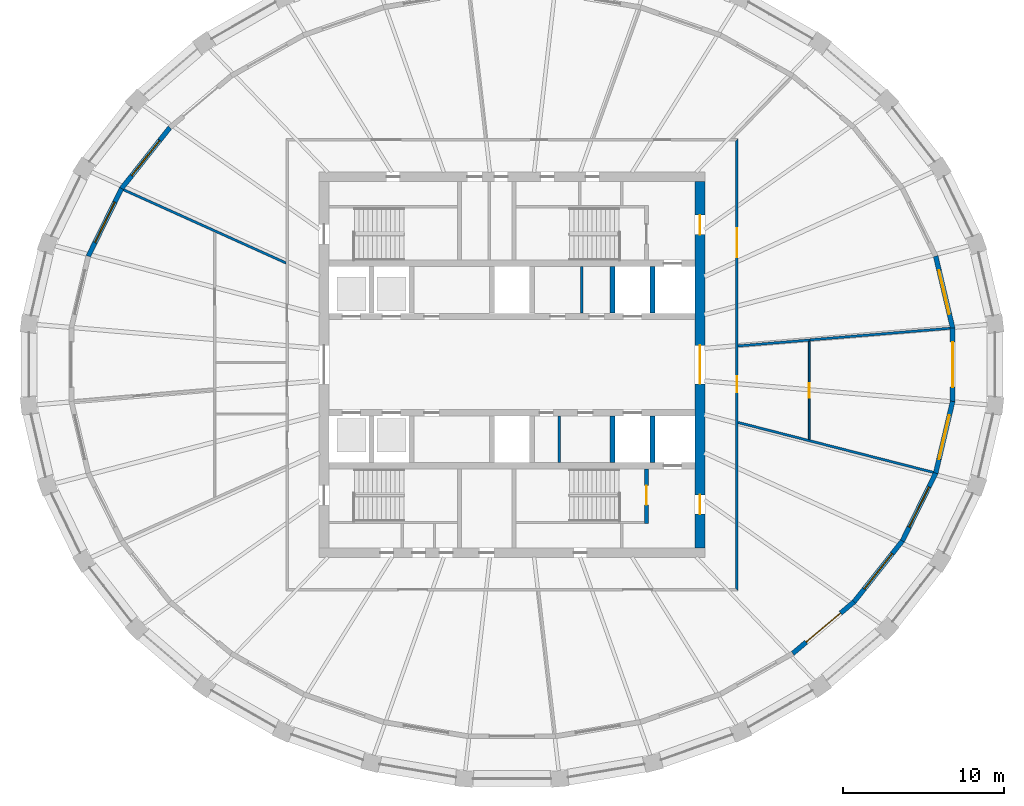
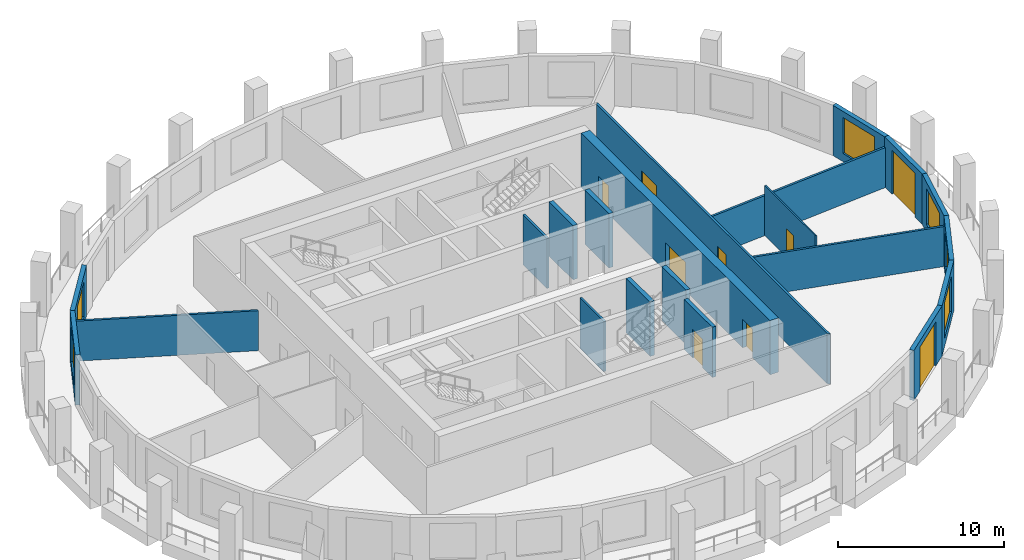
# One storey, part 5 of 10: 22 walls, 9 doors, 6 windows, 15 openings.
"""IFC4 building model written with IfcOpenShell, lengths in metres."""

from ifc_helpers import new_model, si_unit, direction, frame, frame_2d, origin, place, context, subcontext, project, spatial, polyline, rectangle, outline, extrude, material, layer, layer_set, type_object, element, fill, save


model = new_model("IFC4")

# Units and contexts
model_context = context("Model", 3, precision=1e-05, world=origin(), true_north=direction((0.0, 1.0)))
body_context = subcontext(model_context, "Body", "Model", "MODEL_VIEW")
ifc_project = project(units=[si_unit("LENGTHUNIT", "METRE"), si_unit("AREAUNIT", "SQUARE_METRE"), si_unit("VOLUMEUNIT", "CUBIC_METRE"), si_unit("PLANEANGLEUNIT", "RADIAN"), si_unit("MASSUNIT", "GRAM", prefix="KILO")], contexts=[model_context])

# Site, building, storey
site_placement = place(None, origin())
site = spatial("IfcSite", under=ifc_project, at=site_placement, CompositionType="ELEMENT")
building_placement = place(site_placement, origin())
building = spatial("IfcBuilding", under=site, at=building_placement, Name="Halqa Exchange Tower", CompositionType="ELEMENT")
storey_placement = place(building_placement, frame((0.0, 0.0, 260.300048828125)))
storey = spatial("IfcBuildingStorey", under=building, at=storey_placement, Name="L60", CompositionType="ELEMENT", Elevation=260.300048828125)

# Wall
ifc_material_1 = material(Name="Fire-rated gypsum board")
ifc_layer_1 = layer(ifc_material_1, 0.14990234375)
ifc_layer_set_1 = layer_set([ifc_layer_1], Name="Fire-rated gypsum board")
wall_type_1 = type_object("IfcWallType", Name="Fire partition EI 60 150", PredefinedType="PARTITIONING", material=ifc_layer_set_1)
wall_1_placement = place(storey_placement, frame((-24.17626953125, 10.88671875, 0.0), z_axis=(0.0, 0.0, 1.0), x_axis=(0.911671004153, -0.410920892857, 0.0)))
element("IfcWall", 1, at=wall_1_placement, inside=storey, type_object=wall_type_1, Name="L60-PWL-002", PredefinedType="PARTITIONING", context=body_context, shape_type="SweptSolid", body=[
    extrude(outline(polyline([(0.0, -0.074951171875), (1.583984375, -0.074951171875), (3.167724609375, -0.074951171875), (4.751708984375, -0.074951171875), (6.33544921875, -0.074951171875), (6.341064453125, -0.072509765625), (6.34228515625, -0.074951171875), (7.9326171875, -0.074951171875), (9.52294921875, -0.074951171875), (11.11328125, -0.074951171875), (11.11328125, -0.073974609375), (11.09716796875, -0.038330078125), (11.09716796875, -0.038330078125), (11.046142578125, 0.074951171875), (9.20849609375, 0.074951171875), (7.37109375, 0.074951171875), (5.533447265625, 0.074951171875), (3.69580078125, 0.074951171875), (1.8583984375, 0.074951171875), (0.020751953125, 0.074951171875), (0.002197265625, 0.0009765625), (0.0, -0.0625), (0.0, -0.074951171875)])), origin(), (0.0, 0.0, 1.0), 2.947021484375),
])

# Wall, openings, doors
wall_2_placement = place(storey_placement, frame((14.0, -14.074951171875, 0.0), z_axis=(0.0, 0.0, 1.0), x_axis=(0.0, 1.0, 0.0)))
wall_2 = element("IfcWall", 2, at=wall_2_placement, inside=storey, type_object=wall_type_1, Name="L60-PWL-017", PredefinedType="PARTITIONING", context=body_context, shape_type="SweptSolid", body=[
    extrude(outline(polyline([(0.0, -0.074951171875), (1.876708984375, -0.074951171875), (3.75341796875, -0.074951171875), (5.6298828125, -0.074951171875), (7.506591796875, -0.074951171875), (9.38330078125, -0.074951171875), (11.260009765625, -0.074951171875), (13.13671875, -0.074951171875), (15.01318359375, -0.074951171875), (16.889892578125, -0.074951171875), (18.7666015625, -0.074951171875), (20.643310546875, -0.074951171875), (22.52001953125, -0.074951171875), (24.396484375, -0.074951171875), (26.273193359375, -0.074951171875), (28.14990234375, -0.074951171875), (28.0, 0.074951171875), (26.0107421875, 0.074951171875), (24.021484375, 0.074951171875), (22.0322265625, 0.074951171875), (20.042724609375, 0.074951171875), (18.053466796875, 0.074951171875), (16.064208984375, 0.074951171875), (14.074951171875, 0.074951171875), (12.085693359375, 0.074951171875), (10.096435546875, 0.074951171875), (8.107177734375, 0.074951171875), (6.11767578125, 0.074951171875), (4.12841796875, 0.074951171875), (2.13916015625, 0.074951171875), (0.14990234375, 0.074951171875), (0.0, -0.074951171875)])), origin(), (0.0, 0.0, 1.0), 3.699951171875),
])
opening_1_placement = place(wall_2_placement, frame((12.364990234375, 0.0, 0.0)))
opening_1 = element("IfcOpeningElement", 3, at=opening_1_placement, cuts=wall_2, Name="Opening 18-02", PredefinedType="OPENING", context=body_context, shape_type="SweptSolid", body=[
    extrude(rectangle(XDim=1.0, YDim=2.10009765625, at=frame_2d((0.5, 1.050048828125))), frame((0.0, 0.0869140625, 0.0), z_axis=(0.0, -1.0, 0.0), x_axis=(1.0, 0.0, 0.0)), (0.0, 0.0, 1.0), 0.173828125),
])
opening_2_placement = place(wall_2_placement, frame((20.7548828125, 0.0, 0.0)))
opening_2 = element("IfcOpeningElement", 4, at=opening_2_placement, cuts=wall_2, Name="Opening 18-03", PredefinedType="OPENING", context=body_context, shape_type="SweptSolid", body=[
    extrude(rectangle(XDim=1.800048828125, YDim=2.10009765625, at=frame_2d((0.89990234375, 1.050048828125))), frame((0.0, 0.0869140625, 0.0), z_axis=(0.0, -1.0, 0.0), x_axis=(1.0, 0.0, 0.0)), (0.0, 0.0, 1.0), 0.173828125),
])
ifc_material_2 = material(Name="Steel fire door leaf", Category="steel")
door_type_1 = type_object("IfcDoorType", Name="Fire door FD30S 1000 x 2100", OperationType="SINGLE_SWING_LEFT", PredefinedType="DOOR", material=ifc_material_2)
door_1_placement = place(opening_1_placement, frame((1.0, 0.0, 0.0), z_axis=(0.0, 0.0, 1.0), x_axis=(-1.0, 0.0, 0.0)))
door_1 = element("IfcDoor", 5, at=door_1_placement, inside=storey, type_object=door_type_1, Name="L60-IDR-002", OperationType="SINGLE_SWING_RIGHT", OverallHeight=2.10009765625, OverallWidth=1.0, PredefinedType="DOOR", context=body_context, shape_type="SweptSolid", body=[
    extrude(rectangle(XDim=1.0, YDim=2.10009765625, at=frame_2d((0.5, 1.050048828125))), frame((0.0, 0.02490234375, 0.0), z_axis=(0.0, -1.0, 0.0), x_axis=(1.0, 0.0, 0.0)), (0.0, 0.0, 1.0), 0.050048828125),
])
fill(opening_1, door_1)
door_type_2 = type_object("IfcDoorType", Name="Fire door FD30S double 1800 x 2100", OperationType="DOUBLE_DOOR_SINGLE_SWING", PredefinedType="DOOR", material=ifc_material_2)
door_2_placement = place(opening_2_placement, frame((1.800048828125, 0.0, 0.0), z_axis=(0.0, 0.0, 1.0), x_axis=(-1.0, 0.0, 0.0)))
door_2 = element("IfcDoor", 6, at=door_2_placement, inside=storey, type_object=door_type_2, Name="L60-IDR-003", OperationType="DOUBLE_DOOR_SINGLE_SWING", OverallHeight=2.10009765625, OverallWidth=1.800048828125, PredefinedType="DOOR", context=body_context, shape_type="SweptSolid", body=[
    extrude(rectangle(XDim=1.800048828125, YDim=2.10009765625, at=frame_2d((0.89990234375, 1.050048828125))), frame((0.0, 0.02490234375, 0.0), z_axis=(0.0, -1.0, 0.0), x_axis=(1.0, 0.0, 0.0)), (0.0, 0.0, 1.0), 0.050048828125),
])
fill(opening_2, door_2)

# Walls
wall_3_placement = place(storey_placement, frame((14.056640625, -3.594482421875, 0.0), z_axis=(0.0, 0.0, 1.0), x_axis=(0.968853358083, -0.24763515609, 0.0)))
element("IfcWall", 7, at=wall_3_placement, inside=storey, type_object=wall_type_1, Name="L60-PWL-018", PredefinedType="PARTITIONING", context=body_context, shape_type="SweptSolid", body=[
    extrude(outline(polyline([(0.0380859375, -0.074951171875), (1.8251953125, -0.074951171875), (3.612548828125, -0.074951171875), (5.399658203125, -0.074951171875), (7.186767578125, -0.074951171875), (8.973876953125, -0.074951171875), (10.76123046875, -0.074951171875), (12.54833984375, -0.074951171875), (12.563232421875, -0.003662109375), (12.563232421875, 0.066162109375), (12.56298828125, 0.074951171875), (10.768310546875, 0.074951171875), (8.9736328125, 0.074951171875), (7.178955078125, 0.074951171875), (5.38427734375, 0.074951171875), (3.58935546875, 0.074951171875), (1.794677734375, 0.074951171875), (0.0, 0.074951171875), (0.0, 0.07421875), (0.0380859375, -0.074951171875)])), origin(), (0.0, 0.0, 1.0), 2.947021484375),
])
wall_4_placement = place(storey_placement, frame((14.0693359375, 1.165771484375, 0.0), z_axis=(0.0, 0.0, 1.0), x_axis=(0.996636539938, 0.081948808782, 0.0)))
element("IfcWall", 8, at=wall_4_placement, inside=storey, type_object=wall_type_1, Name="L60-PWL-019", PredefinedType="PARTITIONING", context=body_context, shape_type="SweptSolid", body=[
    extrude(outline(polyline([(4.49560546875, -0.074951171875), (4.49560546875, -0.0029296875), (4.49560546875, 0.074951171875), (3.0009765625, 0.074951171875), (1.50634765625, 0.074951171875), (0.011962890625, 0.074951171875), (0.0, -0.069091796875), (0.0, -0.074951171875), (1.49853515625, -0.074951171875), (2.9970703125, -0.074951171875), (4.49560546875, -0.074951171875)])), origin(), (0.0, 0.0, 1.0), 2.947021484375),
])
wall_5_placement = place(storey_placement, frame((18.549072265625, 1.5439453125, 0.0), z_axis=(0.0, 0.0, 1.0), x_axis=(0.996604371019, 0.082339101686, 0.0)))
element("IfcWall", 9, at=wall_5_placement, inside=storey, type_object=wall_type_1, Name="L60-PWL-020", PredefinedType="PARTITIONING", context=body_context, shape_type="SweptSolid", body=[
    extrude(outline(polyline([(8.7529296875, -0.074951171875), (8.7529296875, 0.0390625), (8.74755859375, 0.074951171875), (6.998046875, 0.074951171875), (5.24853515625, 0.074951171875), (3.4990234375, 0.074951171875), (1.74951171875, 0.074951171875), (0.0, 0.074951171875), (0.0, -0.074951171875), (1.75048828125, -0.074951171875), (3.501220703125, -0.074951171875), (5.251708984375, -0.074951171875), (7.00244140625, -0.074951171875), (8.7529296875, -0.074951171875)])), origin(), (0.0, 0.0, 1.0), 2.947021484375),
])

# Wall, opening, door
ifc_material_3 = material(Name="Gypsum board")
ifc_layer_2 = layer(ifc_material_3, 0.10009765625)
ifc_layer_set_2 = layer_set([ifc_layer_2], Name="Gypsum board")
wall_type_2 = type_object("IfcWallType", Name="Partition 100 gypsum", PredefinedType="PARTITIONING", material=ifc_layer_set_2)
wall_6_placement = place(storey_placement, frame((18.5, 1.45849609375, 0.0), z_axis=(0.0, 0.0, 1.0), x_axis=(0.0, -1.0, 0.0)))
wall_6 = element("IfcWall", 10, at=wall_6_placement, inside=storey, type_object=wall_type_2, Name="L60-PWL-021", PredefinedType="PARTITIONING", context=body_context, shape_type="SweptSolid", body=[
    extrude(outline(polyline([(0.0078125, -0.050048828125), (1.530517578125, -0.050048828125), (3.05322265625, -0.050048828125), (4.575927734375, -0.050048828125), (6.098388671875, -0.050048828125), (6.1240234375, 0.050048828125), (6.1240234375, 0.050048828125), (4.593017578125, 0.050048828125), (3.06201171875, 0.050048828125), (1.531005859375, 0.050048828125), (0.0, 0.050048828125), (0.0, 0.046142578125), (0.0078125, -0.050048828125)])), origin(), (0.0, 0.0, 1.0), 3.699951171875),
])
opening_3_placement = place(wall_6_placement, frame((2.6083984375, 0.0, 0.0)))
opening_3 = element("IfcOpeningElement", 11, at=opening_3_placement, cuts=wall_6, Name="Opening 18-11", PredefinedType="OPENING", context=body_context, shape_type="SweptSolid", body=[
    extrude(rectangle(XDim=0.89990234375, YDim=2.10009765625, at=frame_2d((0.449951171875, 1.050048828125))), frame((0.0, 0.06201171875, 0.0), z_axis=(0.0, -1.0, 0.0), x_axis=(1.0, 0.0, 0.0)), (0.0, 0.0, 1.0), 0.1240234375),
])
ifc_material_4 = material(Name="Timber door leaf", Category="wood")
door_type_3 = type_object("IfcDoorType", Name="Door 900 x 2100", OperationType="SINGLE_SWING_LEFT", PredefinedType="DOOR", material=ifc_material_4)
door_3_placement = place(opening_3_placement, frame((0.89990234375, 0.0, 0.0), z_axis=(0.0, 0.0, 1.0), x_axis=(-1.0, 0.0, 0.0)))
door_3 = element("IfcDoor", 12, at=door_3_placement, inside=storey, type_object=door_type_3, Name="L60-IDR-011", OperationType="SINGLE_SWING_LEFT", OverallHeight=2.10009765625, OverallWidth=0.89990234375, PredefinedType="DOOR", context=body_context, shape_type="SweptSolid", body=[
    extrude(rectangle(XDim=0.89990234375, YDim=2.10009765625, at=frame_2d((0.449951171875, 1.050048828125))), frame((0.0, 0.02490234375, 0.0), z_axis=(0.0, -1.0, 0.0), x_axis=(1.0, 0.0, 0.0)), (0.0, 0.0, 1.0), 0.050048828125),
])
fill(opening_3, door_3)

# Walls
ifc_layer_3 = layer(ifc_material_3, 0.14990234375)
ifc_layer_set_3 = layer_set([ifc_layer_3], Name="Gypsum board")
wall_type_3 = type_object("IfcWallType", Name="Penthouse riser wall 150 gypsum", PredefinedType="PARTITIONING", material=ifc_layer_set_3)
for number, where, z_axis, x_axis, name in (
    (13, (4.35009765625, 3.199951171875, 0.0), (0.0, 0.0, 1.0), (0.0, 1.0, 0.0), "Freed bay partition NE4.350"),
    (14, (2.949951171875, -6.10009765625, 0.0), (0.0, 0.0, 1.0), (0.0, 1.0, 0.0), "Freed bay partition SE2.950"),
):
    element("IfcWall", number, at=place(storey_placement, frame(where, z_axis=z_axis, x_axis=x_axis)), inside=storey, type_object=wall_type_3, Name=name, PredefinedType="PARTITIONING", context=body_context, shape_type="SweptSolid", body=[
        extrude(rectangle(XDim=2.900146484375, YDim=0.14990234375, at=frame_2d((1.4501953125, 0.0))), origin(), (0.0, 0.0, 1.0), 3.699951171875),
    ])
ifc_material_5 = material(Name="Concrete C60/75", Category="concrete")
ifc_layer_4 = layer(ifc_material_5, 0.300048828125)
ifc_layer_set_4 = layer_set([ifc_layer_4], Name="Concrete C60/75")
wall_type_4 = type_object("IfcWallType", Name="RC core wall 300", PredefinedType="SHEAR", material=ifc_layer_set_4)
for number, where, z_axis, x_axis, name in (
    (15, (6.25, 3.199951171875, 0.0), (0.0, 0.0, 1.0), (0.0, 1.0, 0.0), "Shaft divider N7"),
    (16, (8.75, 3.199951171875, 0.0), (0.0, 0.0, 1.0), (0.0, 1.0, 0.0), "Shaft divider N8"),
    (17, (6.25, -6.10009765625, 0.0), (0.0, 0.0, 1.0), (0.0, 1.0, 0.0), "Shaft divider S7"),
    (18, (8.75, -6.10009765625, 0.0), (0.0, 0.0, 1.0), (0.0, 1.0, 0.0), "Shaft divider S8"),
):
    element("IfcWall", number, at=place(storey_placement, frame(where, z_axis=z_axis, x_axis=x_axis)), inside=storey, type_object=wall_type_4, Name=name, PredefinedType="SHEAR", context=body_context, shape_type="SweptSolid", body=[
        extrude(rectangle(XDim=2.900146484375, YDim=0.300048828125, at=frame_2d((1.4501953125, 0.0))), origin(), (0.0, 0.0, 1.0), 4.0),
    ])

# Wall, openings, doors
ifc_layer_5 = layer(ifc_material_5, 0.60009765625)
ifc_layer_set_5 = layer_set([ifc_layer_5], Name="Concrete C60/75")
wall_type_5 = type_object("IfcWallType", Name="RC core wall 600 C60/75", PredefinedType="SHEAR", material=ifc_layer_set_5)
wall_7_placement = place(storey_placement, frame((11.699951171875, -11.39990234375, 0.0), z_axis=(0.0, 0.0, 1.0), x_axis=(0.0, 1.0, 0.0)))
wall_7 = element("IfcWall", 19, at=wall_7_placement, inside=storey, type_object=wall_type_5, Name="Core wall east", PredefinedType="SHEAR", context=body_context, shape_type="SweptSolid", body=[
    extrude(rectangle(XDim=22.7998046875, YDim=0.60009765625, at=frame_2d((11.39990234375, 0.0))), origin(), (0.0, 0.0, 1.0), 4.0),
])
opening_4_placement = place(wall_7_placement, frame((10.199951171875, 0.0, 0.0)))
opening_4 = element("IfcOpeningElement", 20, at=opening_4_placement, cuts=wall_7, Name="Opening T18-C10", PredefinedType="OPENING", context=body_context, shape_type="SweptSolid", body=[
    extrude(rectangle(XDim=2.39990234375, YDim=2.10009765625, at=frame_2d((1.199951171875, 1.050048828125))), frame((0.0, 0.31201171875, 0.0), z_axis=(0.0, -1.0, 0.0), x_axis=(1.0, 0.0, 0.0)), (0.0, 0.0, 1.0), 0.6240234375),
])
opening_5_placement = place(wall_7_placement, frame((19.5, 0.0, 0.0)))
opening_5 = element("IfcOpeningElement", 21, at=opening_5_placement, cuts=wall_7, Name="Opening T18-C15", PredefinedType="OPENING", context=body_context, shape_type="SweptSolid", body=[
    extrude(rectangle(XDim=1.199951171875, YDim=2.10009765625, at=frame_2d((0.60009765625, 1.050048828125))), frame((0.0, 0.31201171875, 0.0), z_axis=(0.0, -1.0, 0.0), x_axis=(1.0, 0.0, 0.0)), (0.0, 0.0, 1.0), 0.6240234375),
])
opening_6_placement = place(wall_7_placement, frame((2.10009765625, 0.0, 0.0)))
opening_6 = element("IfcOpeningElement", 22, at=opening_6_placement, cuts=wall_7, Name="Opening T18-C16", PredefinedType="OPENING", context=body_context, shape_type="SweptSolid", body=[
    extrude(rectangle(XDim=1.199951171875, YDim=2.10009765625, at=frame_2d((0.60009765625, 1.050048828125))), frame((0.0, 0.31201171875, 0.0), z_axis=(0.0, -1.0, 0.0), x_axis=(1.0, 0.0, 0.0)), (0.0, 0.0, 1.0), 0.6240234375),
])
door_type_4 = type_object("IfcDoorType", Name="Firefighting lobby door FD90 1200 x 2100", OperationType="SINGLE_SWING_RIGHT", PredefinedType="DOOR", material=ifc_material_2)
door_4_placement = place(opening_5_placement, origin())
door_4 = element("IfcDoor", 23, at=door_4_placement, inside=storey, type_object=door_type_4, Name="Firefighting lobby door", OperationType="SINGLE_SWING_RIGHT", OverallHeight=2.10009765625, OverallWidth=1.199951171875, PredefinedType="DOOR", context=body_context, shape_type="SweptSolid", body=[
    extrude(rectangle(XDim=1.199951171875, YDim=2.10009765625, at=frame_2d((0.60009765625, 1.050048828125))), frame((0.0, 0.02490234375, 0.0), z_axis=(0.0, -1.0, 0.0), x_axis=(1.0, 0.0, 0.0)), (0.0, 0.0, 1.0), 0.050048828125),
])
fill(opening_5, door_4)
door_5_placement = place(opening_6_placement, origin())
door_5 = element("IfcDoor", 24, at=door_5_placement, inside=storey, type_object=door_type_4, Name="Firefighting lobby door", OperationType="SINGLE_SWING_LEFT", OverallHeight=2.10009765625, OverallWidth=1.199951171875, PredefinedType="DOOR", context=body_context, shape_type="SweptSolid", body=[
    extrude(rectangle(XDim=1.199951171875, YDim=2.10009765625, at=frame_2d((0.60009765625, 1.050048828125))), frame((0.0, 0.02490234375, 0.0), z_axis=(0.0, -1.0, 0.0), x_axis=(1.0, 0.0, 0.0)), (0.0, 0.0, 1.0), 0.050048828125),
])
fill(opening_6, door_5)
door_type_5 = type_object("IfcDoorType", Name="Lobby double door FD60 2400 x 2100", OperationType="DOUBLE_DOOR_SINGLE_SWING", PredefinedType="DOOR", material=ifc_material_2)
door_6_placement = place(opening_4_placement, origin())
door_6 = element("IfcDoor", 25, at=door_6_placement, inside=storey, type_object=door_type_5, Name="Lift lobby double door", OperationType="DOUBLE_DOOR_SINGLE_SWING", OverallHeight=2.10009765625, OverallWidth=2.39990234375, PredefinedType="DOOR", context=body_context, shape_type="SweptSolid", body=[
    extrude(rectangle(XDim=2.39990234375, YDim=2.10009765625, at=frame_2d((1.199951171875, 1.050048828125))), frame((0.0, 0.02490234375, 0.0), z_axis=(0.0, -1.0, 0.0), x_axis=(1.0, 0.0, 0.0)), (0.0, 0.0, 1.0), 0.050048828125),
])
fill(opening_4, door_6)

# Wall, opening, door
ifc_material_6 = material(Name="Concrete C30/37", Category="concrete")
ifc_layer_6 = layer(ifc_material_6, 0.25)
ifc_layer_set_6 = layer_set([ifc_layer_6], Name="Concrete C30/37")
wall_type_6 = type_object("IfcWallType", Name="RC stair wall 250 C30/37", PredefinedType="SHEAR", material=ifc_layer_set_6)
wall_8_placement = place(storey_placement, frame((8.375, -9.89990234375, 0.0), z_axis=(0.0, 0.0, 1.0), x_axis=(0.0, 1.0, 0.0)))
wall_8 = element("IfcWall", 26, at=wall_8_placement, inside=storey, type_object=wall_type_6, Name="Stair ST2 east wall S", PredefinedType="SHEAR", context=body_context, shape_type="SweptSolid", body=[
    extrude(rectangle(XDim=3.39990234375, YDim=0.25, at=frame_2d((1.699951171875, 0.0))), origin(), (0.0, 0.0, 1.0), 3.699951171875),
])
opening_7_placement = place(wall_8_placement, frame((1.175048828125, 0.0, 0.0)))
opening_7 = element("IfcOpeningElement", 27, at=opening_7_placement, cuts=wall_8, Name="Opening T18-C14", PredefinedType="OPENING", context=body_context, shape_type="SweptSolid", body=[
    extrude(rectangle(XDim=1.199951171875, YDim=2.10009765625, at=frame_2d((0.60009765625, 1.050048828125))), frame((0.0, 0.136962890625, 0.0), z_axis=(0.0, -1.0, 0.0), x_axis=(1.0, 0.0, 0.0)), (0.0, 0.0, 1.0), 0.27392578125),
])
door_type_6 = type_object("IfcDoorType", Name="Stair door FD90 1200 x 2100", OperationType="SINGLE_SWING_LEFT", PredefinedType="DOOR", material=ifc_material_2)
door_7_placement = place(opening_7_placement, origin())
door_7 = element("IfcDoor", 28, at=door_7_placement, inside=storey, type_object=door_type_6, Name="Stair door ST4", OperationType="SINGLE_SWING_RIGHT", OverallHeight=2.10009765625, OverallWidth=1.199951171875, PredefinedType="DOOR", context=body_context, shape_type="SweptSolid", body=[
    extrude(rectangle(XDim=1.199951171875, YDim=2.10009765625, at=frame_2d((0.60009765625, 1.050048828125))), frame((0.0, 0.02490234375, 0.0), z_axis=(0.0, -1.0, 0.0), x_axis=(1.0, 0.0, 0.0)), (0.0, 0.0, 1.0), 0.050048828125),
])
fill(opening_7, door_7)

# Wall, opening, window
ifc_material_7 = material(Name="Limestone cladding", Category="masonry")
ifc_layer_7 = layer(ifc_material_7, 0.0400390625)
ifc_material_8 = material(Name="Ventilated cavity")
ifc_layer_8 = layer(ifc_material_8, 0.030029296875, ventilated=True)
ifc_material_9 = material(Name="Mineral wool insulation")
ifc_layer_9 = layer(ifc_material_9, 0.10009765625)
ifc_layer_10 = layer(ifc_material_6, 0.10009765625)
ifc_material_10 = material(Name="Internal plaster")
ifc_layer_11 = layer(ifc_material_10, 0.030029296875)
ifc_layer_set_7 = layer_set([ifc_layer_7, ifc_layer_8, ifc_layer_9, ifc_layer_10, ifc_layer_11], Name="Stone-faced insulated wall 300")
wall_type_7 = type_object("IfcWallType", Name="Stone-faced insulated wall 300", PredefinedType="STANDARD", material=ifc_layer_set_7)
wall_9_placement = place(storey_placement, frame((27.428466796875, 2.28125, 0.0), z_axis=(0.0, 0.0, 1.0), x_axis=(-0.229767529411, 0.973245540667, 0.0)))
wall_9 = element("IfcWall", 29, at=wall_9_placement, inside=storey, type_object=wall_type_7, Name="Glass-line wall 1", PredefinedType="STANDARD", context=body_context, shape_type="SweptSolid", body=[
    extrude(outline(polyline([(-0.017578125, -0.14990234375), (4.613525390625, -0.14990234375), (4.579833984375, 0.14990234375), (0.017578125, 0.14990234375), (-0.017578125, -0.14990234375)])), origin(), (0.0, 0.0, 1.0), 3.699951171875),
])
opening_8_placement = place(wall_9_placement, frame((0.8984375, 0.0, 0.60009765625)))
opening_8 = element("IfcOpeningElement", 30, at=opening_8_placement, cuts=wall_9, Name="Opening W-F4-01", PredefinedType="OPENING", context=body_context, shape_type="SweptSolid", body=[
    extrude(rectangle(XDim=2.800048828125, YDim=2.64990234375, at=frame_2d((1.39990234375, 1.324951171875))), frame((0.0, 0.162109375, 0.0), z_axis=(0.0, -1.0, 0.0), x_axis=(1.0, 0.0, 0.0)), (0.0, 0.0, 1.0), 0.323974609375),
])
ifc_material_11 = material(Name="Clear low-emissivity glass in aluminium frame", Category="aluminium")
window_type = type_object("IfcWindowType", Name="Fixed clear glazed window 2800 x 2650", PartitioningType="DOUBLE_PANEL_VERTICAL", PredefinedType="WINDOW", material=ifc_material_11)
window_1_placement = place(opening_8_placement, origin())
window_1 = element("IfcWindow", 31, at=window_1_placement, inside=storey, type_object=window_type, Name="Window 4", OverallHeight=2.64990234375, OverallWidth=2.800048828125, PartitioningType="DOUBLE_PANEL_VERTICAL", PredefinedType="WINDOW", context=body_context, shape_type="SweptSolid", body=[
    extrude(rectangle(XDim=2.800048828125, YDim=2.64990234375, at=frame_2d((1.39990234375, 1.324951171875))), frame((0.0, 0.030029296875, 0.0), z_axis=(0.0, -1.0, 0.0), x_axis=(1.0, 0.0, 0.0)), (0.0, 0.0, 1.0), 0.06005859375),
])
fill(opening_8, window_1)

wall_10_placement = place(storey_placement, frame((-21.296875, 14.756103515625, 0.0), z_axis=(0.0, 0.0, 1.0), x_axis=(-0.621358373565, -0.783526497063, 0.0)))
wall_10 = element("IfcWall", 32, at=wall_10_placement, inside=storey, type_object=wall_type_7, Name="Glass-line wall 13", PredefinedType="STANDARD", context=body_context, shape_type="SweptSolid", body=[
    extrude(outline(polyline([(-0.01513671875, -0.14990234375), (4.851806640625, -0.14990234375), (4.819580078125, 0.14990234375), (0.01513671875, 0.14990234375), (-0.01513671875, -0.14990234375)])), origin(), (0.0, 0.0, 1.0), 3.699951171875),
])
opening_9_placement = place(wall_10_placement, frame((1.017578125, 0.0, 0.60009765625)))
opening_9 = element("IfcOpeningElement", 33, at=opening_9_placement, cuts=wall_10, Name="Opening W-F4-13", PredefinedType="OPENING", context=body_context, shape_type="SweptSolid", body=[
    extrude(rectangle(XDim=2.800048828125, YDim=2.64990234375, at=frame_2d((1.39990234375, 1.324951171875))), frame((0.0, 0.162109375, 0.0), z_axis=(0.0, -1.0, 0.0), x_axis=(1.0, 0.0, 0.0)), (0.0, 0.0, 1.0), 0.323974609375),
])
window_2_placement = place(opening_9_placement, origin())
window_2 = element("IfcWindow", 34, at=window_2_placement, inside=storey, type_object=window_type, Name="Window 4", OverallHeight=2.64990234375, OverallWidth=2.800048828125, PartitioningType="DOUBLE_PANEL_VERTICAL", PredefinedType="WINDOW", context=body_context, shape_type="SweptSolid", body=[
    extrude(rectangle(XDim=2.800048828125, YDim=2.64990234375, at=frame_2d((1.39990234375, 1.324951171875))), frame((0.0, 0.030029296875, 0.0), z_axis=(0.0, -1.0, 0.0), x_axis=(1.0, 0.0, 0.0)), (0.0, 0.0, 1.0), 0.06005859375),
])
fill(opening_9, window_2)

wall_11_placement = place(storey_placement, frame((-24.301513671875, 10.96728515625, 0.0), z_axis=(0.0, 0.0, 1.0), x_axis=(-0.441169971308, -0.89742356578, 0.0)))
wall_11 = element("IfcWall", 35, at=wall_11_placement, inside=storey, type_object=wall_type_7, Name="Glass-line wall 14", PredefinedType="STANDARD", context=body_context, shape_type="SweptSolid", body=[
    extrude(outline(polyline([(-0.01611328125, -0.14990234375), (4.710693359375, -0.14990234375), (4.677001953125, 0.14990234375), (0.01611328125, 0.14990234375), (-0.01611328125, -0.14990234375)])), origin(), (0.0, 0.0, 1.0), 3.699951171875),
])
opening_10_placement = place(wall_11_placement, frame((0.947021484375, 0.0, 0.60009765625)))
opening_10 = element("IfcOpeningElement", 36, at=opening_10_placement, cuts=wall_11, Name="Opening W-F4-14", PredefinedType="OPENING", context=body_context, shape_type="SweptSolid", body=[
    extrude(rectangle(XDim=2.800048828125, YDim=2.64990234375, at=frame_2d((1.39990234375, 1.324951171875))), frame((0.0, 0.162109375, 0.0), z_axis=(0.0, -1.0, 0.0), x_axis=(1.0, 0.0, 0.0)), (0.0, 0.0, 1.0), 0.323974609375),
])
window_3_placement = place(opening_10_placement, origin())
window_3 = element("IfcWindow", 37, at=window_3_placement, inside=storey, type_object=window_type, Name="Window 4", OverallHeight=2.64990234375, OverallWidth=2.800048828125, PartitioningType="DOUBLE_PANEL_VERTICAL", PredefinedType="WINDOW", context=body_context, shape_type="SweptSolid", body=[
    extrude(rectangle(XDim=2.800048828125, YDim=2.64990234375, at=frame_2d((1.39990234375, 1.324951171875))), frame((0.0, 0.030029296875, 0.0), z_axis=(0.0, -1.0, 0.0), x_axis=(1.0, 0.0, 0.0)), (0.0, 0.0, 1.0), 0.06005859375),
])
fill(opening_10, window_3)

# Wall, opening, door
wall_12_placement = place(storey_placement, frame((17.474853515625, -17.976318359375, 0.0), z_axis=(0.0, 0.0, 1.0), x_axis=(0.764746492461, 0.644331283013, 0.0)))
wall_12 = element("IfcWall", 38, at=wall_12_placement, inside=storey, type_object=wall_type_7, Name="Glass-line wall 28", PredefinedType="STANDARD", context=body_context, shape_type="SweptSolid", body=[
    extrude(outline(polyline([(-0.01416015625, -0.14990234375), (5.012939453125, -0.14990234375), (4.982666015625, 0.14990234375), (0.01416015625, 0.14990234375), (-0.01416015625, -0.14990234375)])), origin(), (0.0, 0.0, 1.0), 3.699951171875),
])
opening_11_placement = place(wall_12_placement, frame((1.098876953125, 0.0, 0.0)))
opening_11 = element("IfcOpeningElement", 39, at=opening_11_placement, cuts=wall_12, Name="Opening LG-F4-07", PredefinedType="OPENING", context=body_context, shape_type="SweptSolid", body=[
    extrude(rectangle(XDim=2.800048828125, YDim=3.25, at=frame_2d((1.39990234375, 1.625))), frame((0.0, 0.162109375, 0.0), z_axis=(0.0, -1.0, 0.0), x_axis=(1.0, 0.0, 0.0)), (0.0, 0.0, 1.0), 0.323974609375),
])
door_type_7 = type_object("IfcDoorType", Name="Glazed sliding loggia door 2800 x 3250", OperationType="DOUBLE_DOOR_SLIDING", PredefinedType="DOOR", material=ifc_material_11)
door_8_placement = place(opening_11_placement, origin())
door_8 = element("IfcDoor", 40, at=door_8_placement, inside=storey, type_object=door_type_7, Name="Loggia door 7", OperationType="DOUBLE_DOOR_SLIDING", OverallHeight=3.25, OverallWidth=2.800048828125, PredefinedType="DOOR", context=body_context, shape_type="SweptSolid", body=[
    extrude(rectangle(XDim=2.800048828125, YDim=3.25, at=frame_2d((1.39990234375, 1.625))), frame((0.0, 0.02490234375, 0.0), z_axis=(0.0, -1.0, 0.0), x_axis=(1.0, 0.0, 0.0)), (0.0, 0.0, 1.0), 0.050048828125),
])
fill(opening_11, door_8)

# Wall, opening, window
wall_13_placement = place(storey_placement, frame((21.296875, -14.756103515625, 0.0), z_axis=(0.0, 0.0, 1.0), x_axis=(0.621358373565, 0.783526497063, 0.0)))
wall_13 = element("IfcWall", 41, at=wall_13_placement, inside=storey, type_object=wall_type_7, Name="Glass-line wall 29", PredefinedType="STANDARD", context=body_context, shape_type="SweptSolid", body=[
    extrude(outline(polyline([(-0.01513671875, -0.14990234375), (4.851806640625, -0.14990234375), (4.819580078125, 0.14990234375), (0.01513671875, 0.14990234375), (-0.01513671875, -0.14990234375)])), origin(), (0.0, 0.0, 1.0), 3.699951171875),
])
opening_12_placement = place(wall_13_placement, frame((1.017578125, 0.0, 0.60009765625)))
opening_12 = element("IfcOpeningElement", 42, at=opening_12_placement, cuts=wall_13, Name="Opening W-F4-29", PredefinedType="OPENING", context=body_context, shape_type="SweptSolid", body=[
    extrude(rectangle(XDim=2.800048828125, YDim=2.64990234375, at=frame_2d((1.39990234375, 1.324951171875))), frame((0.0, 0.162109375, 0.0), z_axis=(0.0, -1.0, 0.0), x_axis=(1.0, 0.0, 0.0)), (0.0, 0.0, 1.0), 0.323974609375),
])
window_4_placement = place(opening_12_placement, origin())
window_4 = element("IfcWindow", 43, at=window_4_placement, inside=storey, type_object=window_type, Name="Window 4", OverallHeight=2.64990234375, OverallWidth=2.800048828125, PartitioningType="DOUBLE_PANEL_VERTICAL", PredefinedType="WINDOW", context=body_context, shape_type="SweptSolid", body=[
    extrude(rectangle(XDim=2.800048828125, YDim=2.64990234375, at=frame_2d((1.39990234375, 1.324951171875))), frame((0.0, 0.030029296875, 0.0), z_axis=(0.0, -1.0, 0.0), x_axis=(1.0, 0.0, 0.0)), (0.0, 0.0, 1.0), 0.06005859375),
])
fill(opening_12, window_4)

wall_14_placement = place(storey_placement, frame((24.301513671875, -10.96728515625, 0.0), z_axis=(0.0, 0.0, 1.0), x_axis=(0.441169971308, 0.89742356578, 0.0)))
wall_14 = element("IfcWall", 44, at=wall_14_placement, inside=storey, type_object=wall_type_7, Name="Glass-line wall 30", PredefinedType="STANDARD", context=body_context, shape_type="SweptSolid", body=[
    extrude(outline(polyline([(-0.01611328125, -0.14990234375), (4.710693359375, -0.14990234375), (4.677001953125, 0.14990234375), (0.01611328125, 0.14990234375), (-0.01611328125, -0.14990234375)])), origin(), (0.0, 0.0, 1.0), 3.699951171875),
])
opening_13_placement = place(wall_14_placement, frame((0.947021484375, 0.0, 0.60009765625)))
opening_13 = element("IfcOpeningElement", 45, at=opening_13_placement, cuts=wall_14, Name="Opening W-F4-30", PredefinedType="OPENING", context=body_context, shape_type="SweptSolid", body=[
    extrude(rectangle(XDim=2.800048828125, YDim=2.64990234375, at=frame_2d((1.39990234375, 1.324951171875))), frame((0.0, 0.162109375, 0.0), z_axis=(0.0, -1.0, 0.0), x_axis=(1.0, 0.0, 0.0)), (0.0, 0.0, 1.0), 0.323974609375),
])
window_5_placement = place(opening_13_placement, origin())
window_5 = element("IfcWindow", 46, at=window_5_placement, inside=storey, type_object=window_type, Name="Window 4", OverallHeight=2.64990234375, OverallWidth=2.800048828125, PartitioningType="DOUBLE_PANEL_VERTICAL", PredefinedType="WINDOW", context=body_context, shape_type="SweptSolid", body=[
    extrude(rectangle(XDim=2.800048828125, YDim=2.64990234375, at=frame_2d((1.39990234375, 1.324951171875))), frame((0.0, 0.030029296875, 0.0), z_axis=(0.0, -1.0, 0.0), x_axis=(1.0, 0.0, 0.0)), (0.0, 0.0, 1.0), 0.06005859375),
])
fill(opening_13, window_5)

wall_15_placement = place(storey_placement, frame((26.372314453125, -6.7548828125, 0.0), z_axis=(0.0, 0.0, 1.0), x_axis=(0.229767529411, 0.973245540667, 0.0)))
wall_15 = element("IfcWall", 47, at=wall_15_placement, inside=storey, type_object=wall_type_7, Name="Glass-line wall 31", PredefinedType="STANDARD", context=body_context, shape_type="SweptSolid", body=[
    extrude(outline(polyline([(-0.016845703125, -0.14990234375), (4.6142578125, -0.14990234375), (4.5791015625, 0.14990234375), (0.016845703125, 0.14990234375), (-0.016845703125, -0.14990234375)])), origin(), (0.0, 0.0, 1.0), 3.699951171875),
])
opening_14_placement = place(wall_15_placement, frame((0.8984375, 0.0, 0.60009765625)))
opening_14 = element("IfcOpeningElement", 48, at=opening_14_placement, cuts=wall_15, Name="Opening W-F4-31", PredefinedType="OPENING", context=body_context, shape_type="SweptSolid", body=[
    extrude(rectangle(XDim=2.800048828125, YDim=2.64990234375, at=frame_2d((1.39990234375, 1.324951171875))), frame((0.0, 0.162109375, 0.0), z_axis=(0.0, -1.0, 0.0), x_axis=(1.0, 0.0, 0.0)), (0.0, 0.0, 1.0), 0.323974609375),
])
window_6_placement = place(opening_14_placement, origin())
window_6 = element("IfcWindow", 49, at=window_6_placement, inside=storey, type_object=window_type, Name="Window 4", OverallHeight=2.64990234375, OverallWidth=2.800048828125, PartitioningType="DOUBLE_PANEL_VERTICAL", PredefinedType="WINDOW", context=body_context, shape_type="SweptSolid", body=[
    extrude(rectangle(XDim=2.800048828125, YDim=2.64990234375, at=frame_2d((1.39990234375, 1.324951171875))), frame((0.0, 0.030029296875, 0.0), z_axis=(0.0, -1.0, 0.0), x_axis=(1.0, 0.0, 0.0)), (0.0, 0.0, 1.0), 0.06005859375),
])
fill(opening_14, window_6)

# Wall, opening, door
wall_16_placement = place(storey_placement, frame((27.428466796875, -2.28125, 0.0), z_axis=(0.0, 0.0, 1.0), x_axis=(0.0, 1.0, 0.0)))
wall_16 = element("IfcWall", 50, at=wall_16_placement, inside=storey, type_object=wall_type_7, Name="Glass-line wall 32", PredefinedType="STANDARD", context=body_context, shape_type="SweptSolid", body=[
    extrude(outline(polyline([(-0.017578125, -0.14990234375), (4.580078125, -0.14990234375), (4.544921875, 0.14990234375), (0.017578125, 0.14990234375), (-0.017578125, -0.14990234375)])), origin(), (0.0, 0.0, 1.0), 3.699951171875),
])
opening_15_placement = place(wall_16_placement, frame((0.881103515625, 0.0, 0.0)))
opening_15 = element("IfcOpeningElement", 51, at=opening_15_placement, cuts=wall_16, Name="Opening LG-F4-08", PredefinedType="OPENING", context=body_context, shape_type="SweptSolid", body=[
    extrude(rectangle(XDim=2.800048828125, YDim=3.25, at=frame_2d((1.39990234375, 1.625))), frame((0.0, 0.162109375, 0.0), z_axis=(0.0, -1.0, 0.0), x_axis=(1.0, 0.0, 0.0)), (0.0, 0.0, 1.0), 0.323974609375),
])
door_9_placement = place(opening_15_placement, origin())
door_9 = element("IfcDoor", 52, at=door_9_placement, inside=storey, type_object=door_type_7, Name="Loggia door 8", OperationType="DOUBLE_DOOR_SLIDING", OverallHeight=3.25, OverallWidth=2.800048828125, PredefinedType="DOOR", context=body_context, shape_type="SweptSolid", body=[
    extrude(rectangle(XDim=2.800048828125, YDim=3.25, at=frame_2d((1.39990234375, 1.625))), frame((0.0, 0.02490234375, 0.0), z_axis=(0.0, -1.0, 0.0), x_axis=(1.0, 0.0, 0.0)), (0.0, 0.0, 1.0), 0.050048828125),
])
fill(opening_15, door_9)

save(model, "model.ifc")
